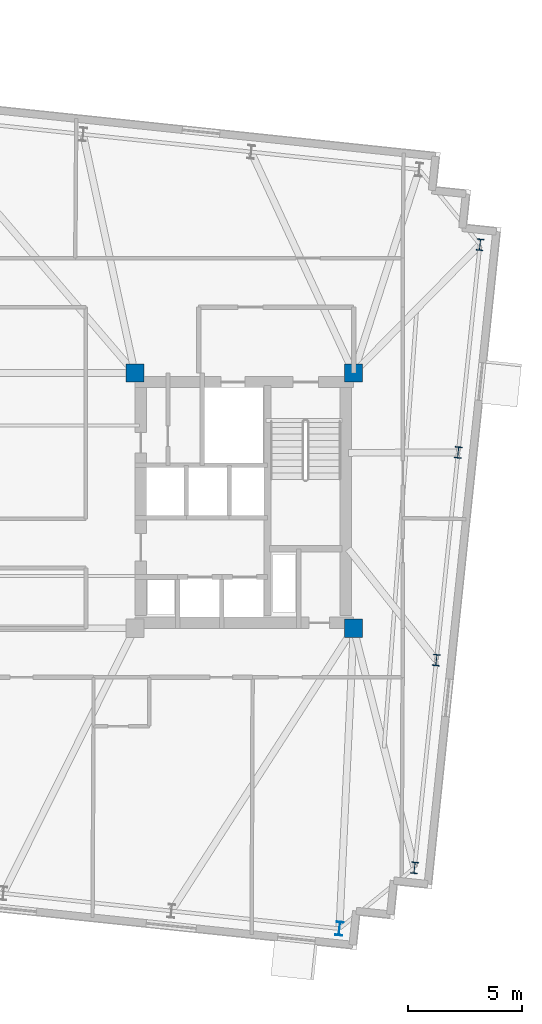
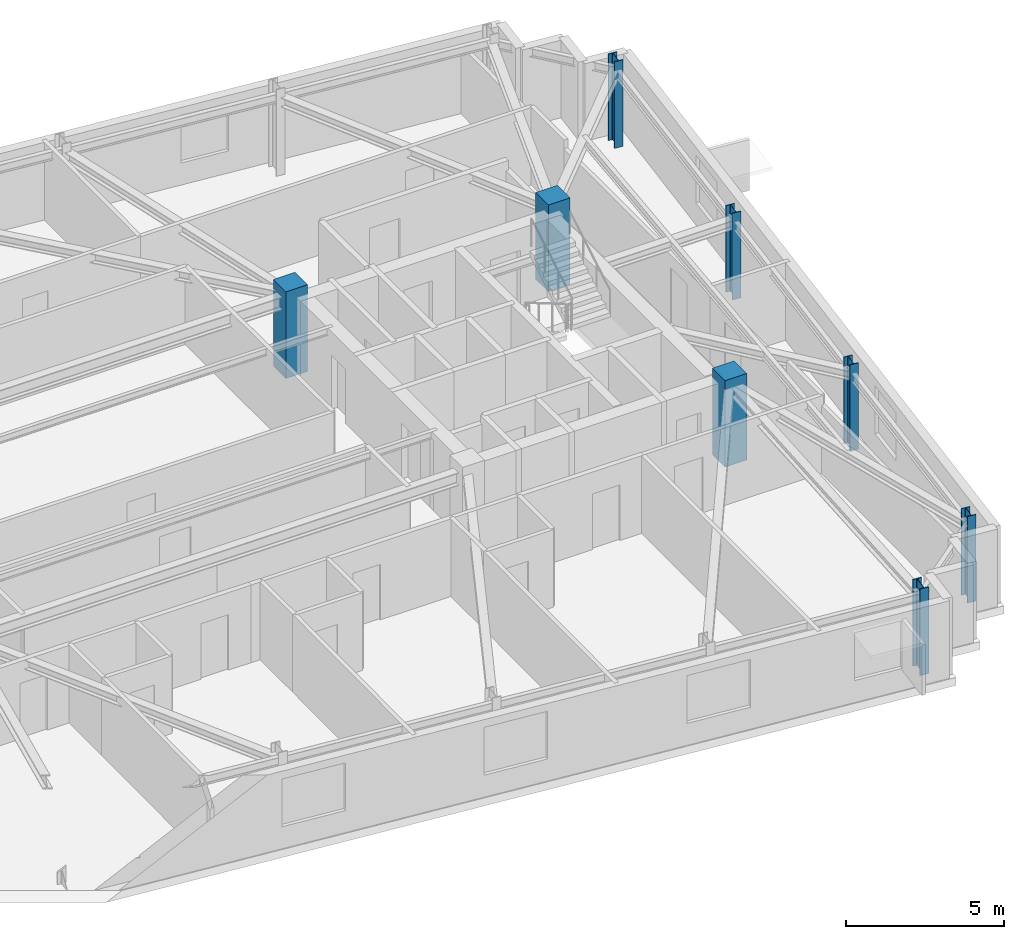
# One storey, part 2 of 11: 8 columns.
"""IFC4 building model written with IfcOpenShell, lengths in metres."""

from ifc_helpers import new_model, si_unit, direction, frame, origin, origin_2d, place, context, subcontext, project, spatial, rectangle, i_section, extrude, material, material_profile, profile_set, type_object, element, save


model = new_model("IFC4")

# Units and contexts
model_context = context("Model", 3, precision=1e-05, world=origin(), true_north=direction((0.0, 1.0)))
body_context = subcontext(model_context, "Body", "Model", "MODEL_VIEW")
ifc_project = project(units=[si_unit("LENGTHUNIT", "METRE"), si_unit("AREAUNIT", "SQUARE_METRE"), si_unit("VOLUMEUNIT", "CUBIC_METRE"), si_unit("PLANEANGLEUNIT", "RADIAN"), si_unit("MASSUNIT", "GRAM", prefix="KILO")], contexts=[model_context])

# Site, building, storey
site_placement = place(None, origin())
site = spatial("IfcSite", under=ifc_project, at=site_placement, CompositionType="ELEMENT")
building_placement = place(site_placement, origin())
building = spatial("IfcBuilding", under=site, at=building_placement, Name="Qobustan Lattice House", CompositionType="ELEMENT")
storey_placement = place(building_placement, frame((0.0, 0.0, 219.85009765625)))
storey = spatial("IfcBuildingStorey", under=building, at=storey_placement, Name="L62", CompositionType="ELEMENT", Elevation=219.85009765625)

# Columns
ifc_material_1 = material(Name="Concrete C50/60", Category="concrete")
ifc_material_profile_1 = material_profile(ifc_material_1, rectangle(XDim=0.800048828125, YDim=0.800048828125, at=origin_2d()), Name="RC800x800")
ifc_profile_set_1 = profile_set([ifc_material_profile_1], Name="Concrete C50/60")
column_type_1 = type_object("IfcColumnType", Name="COL-RC-800", PredefinedType="COLUMN", material=ifc_profile_set_1)
for number, where, z_axis, x_axis, name in (
    (1, (9.199951171875, 5.60009765625, 0.0), (0.0, 0.0, 1.0), (1.0, 0.0, 0.0), "L62 core mega-column CE-NW"),
    (2, (18.800048828125, -5.60009765625, 0.0), (0.0, 0.0, 1.0), (1.0, 0.0, 0.0), "L62 core mega-column CE-SE"),
    (3, (18.800048828125, 5.60009765625, 0.0), (0.0, 0.0, 1.0), (1.0, 0.0, 0.0), "L62 core mega-column CE-NE"),
):
    element("IfcColumn", number, at=place(storey_placement, frame(where, z_axis=z_axis, x_axis=x_axis)), inside=storey, type_object=column_type_1, Name=name, PredefinedType="COLUMN", context=body_context, shape_type="SweptSolid", body=[
        extrude(rectangle(XDim=0.800048828125, YDim=0.800048828125, at=origin_2d()), origin(), (0.0, 0.0, 1.0), 3.349853515625),
    ])
ifc_material_2 = material(Name="Steel S355", Category="steel")
ifc_material_profile_2 = material_profile(ifc_material_2, i_section(OverallWidth=0.300048828125, OverallDepth=0.5, WebThickness=0.014404296875, FlangeThickness=0.028076171875, FilletRadius=0.027099609375, at=origin_2d()), Name="HEB500")
ifc_profile_set_2 = profile_set([ifc_material_profile_2], Name="Steel S355")
column_type_2 = type_object("IfcColumnType", Name="COL-ST-HEB500", PredefinedType="COLUMN", material=ifc_profile_set_2)
for number, where, z_axis, x_axis, name in (
    (4, (21.474365234375, -16.114013671875, 0.0), (0.0, 0.0, 1.0), (0.994521895368, -0.104528463268, 0.0), "L62 B4 perimeter column E1"),
    (5, (22.4326171875, -6.99755859375, 0.0), (0.0, 0.0, 1.0), (0.994521895368, -0.104528463268, 0.0), "L62 B4 perimeter column E2"),
    (6, (23.390869140625, 2.118896484375, 0.0), (0.0, 0.0, 1.0), (0.994521895368, -0.104528463268, 0.0), "L62 B4 perimeter column E3"),
    (7, (24.348876953125, 11.2353515625, 0.0), (0.0, 0.0, 1.0), (0.994521895368, -0.104528463268, 0.0), "L62 B4 perimeter column E4"),
):
    element("IfcColumn", number, at=place(storey_placement, frame(where, z_axis=z_axis, x_axis=x_axis)), inside=storey, type_object=column_type_2, Name=name, PredefinedType="COLUMN", context=body_context, shape_type="SweptSolid", body=[
        extrude(i_section(OverallWidth=0.300048828125, OverallDepth=0.5, WebThickness=0.014404296875, FlangeThickness=0.028076171875, FilletRadius=0.027099609375, at=origin_2d()), origin(), (0.0, 0.0, 1.0), 3.349853515625),
    ])
ifc_material_3 = material(Name="Steel S355", Category="steel")
ifc_material_profile_3 = material_profile(ifc_material_3, i_section(OverallWidth=0.300048828125, OverallDepth=0.60009765625, WebThickness=0.015380859375, FlangeThickness=0.030029296875, FilletRadius=0.027099609375, at=origin_2d()), Name="HEB600")
ifc_profile_set_3 = profile_set([ifc_material_profile_3], Name="Steel S355")
column_type_3 = type_object("IfcColumnType", Name="COL-ST-HEB600", PredefinedType="COLUMN", material=ifc_profile_set_3)
column_placement = place(storey_placement, frame((18.17724609375, -18.783935546875, 0.0), z_axis=(0.0, 0.0, 1.0), x_axis=(0.994521895368, -0.104528463268, 0.0)))
element("IfcColumn", 8, at=column_placement, inside=storey, type_object=column_type_3, Name="L62 B4 perimeter column S7", PredefinedType="COLUMN", context=body_context, shape_type="SweptSolid", body=[
    extrude(i_section(OverallWidth=0.300048828125, OverallDepth=0.60009765625, WebThickness=0.015380859375, FlangeThickness=0.030029296875, FilletRadius=0.027099609375, at=origin_2d()), origin(), (0.0, 0.0, 1.0), 3.349853515625),
])

save(model, "model.ifc")
